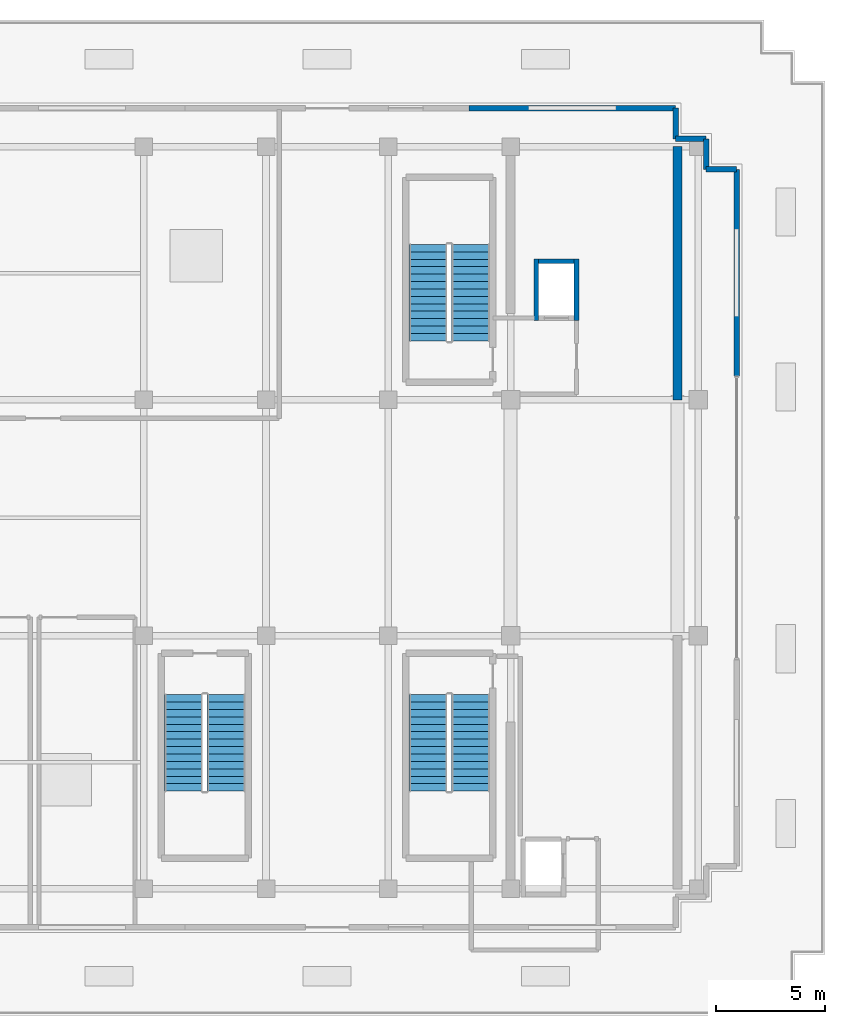
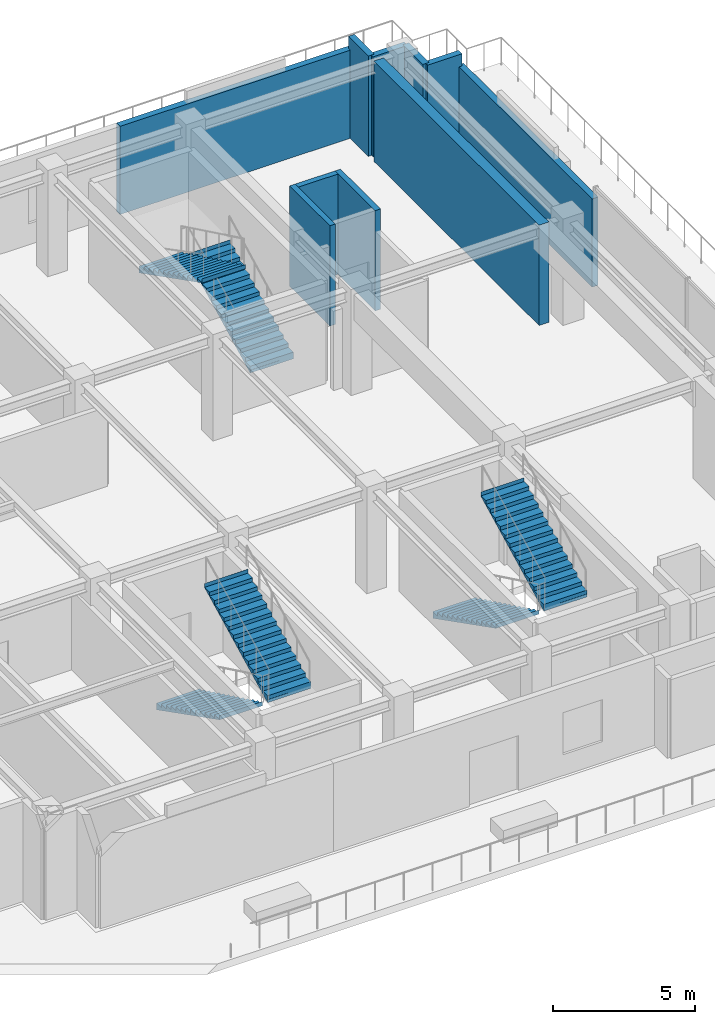
# One storey, part 5 of 13: 10 walls, 6 stair flights, 3 elements without a shape of their own.
"""IFC4 building model written with IfcOpenShell, lengths in metres."""

from ifc_helpers import new_model, si_unit, direction, frame, frame_2d, origin, place, context, subcontext, project, spatial, polyline, rectangle, outline, extrude, source, transform, mapped, material, layer, layer_set, type_object, element, aggregate, save


model = new_model("IFC4")

# Units and contexts
model_context = context("Model", 3, precision=1e-05, world=origin(), true_north=direction((0.0, 1.0)))
body_context = subcontext(model_context, "Body", "Model", "MODEL_VIEW")
ifc_project = project(units=[si_unit("LENGTHUNIT", "METRE"), si_unit("AREAUNIT", "SQUARE_METRE"), si_unit("VOLUMEUNIT", "CUBIC_METRE"), si_unit("PLANEANGLEUNIT", "RADIAN"), si_unit("MASSUNIT", "GRAM", prefix="KILO")], contexts=[model_context])

# Site, building, storey
site_placement = place(None, origin())
site = spatial("IfcSite", under=ifc_project, at=site_placement, CompositionType="ELEMENT")
building_placement = place(site_placement, origin())
building = spatial("IfcBuilding", under=site, at=building_placement, Name="Nahalor Promenade Grand Hotel", CompositionType="ELEMENT")
storey_placement = place(building_placement, frame((0.0, 0.0, 357.050048828125)))
storey = spatial("IfcBuildingStorey", under=building, at=storey_placement, Name="L91", CompositionType="ELEMENT", Elevation=357.050048828125)

# Walls
ifc_material_1 = material(Name="Concrete B-50 (C40/50)", Category="concrete")
ifc_layer_1 = layer(ifc_material_1, 0.39990234375)
ifc_layer_set_1 = layer_set([ifc_layer_1], Name="Concrete B-50 (C40/50)")
wall_type_1 = type_object("IfcWallType", Name="Wall-CoreShear-400", PredefinedType="SHEAR", material=ifc_layer_set_1)
shared_shape_1 = source(origin(), body_context, "Body", "SweptSolid", [
    extrude(rectangle(XDim=11.60009765625, YDim=0.39990234375, at=frame_2d((5.800048828125, 0.0))), origin(), (0.0, 0.0, 1.0), 4.300048828125),
])
wall_1_placement = place(storey_placement, frame((16.050048828125, 5.39990234375, 0.0), z_axis=(0.0, 0.0, 1.0), x_axis=(0.0, 1.0, 0.0)))
element("IfcWall", 1, at=wall_1_placement, inside=storey, type_object=wall_type_1, Name="CWALL-L91-NE", PredefinedType="SHEAR", context=body_context, shape_type="MappedRepresentation", body=[
    mapped(shared_shape_1, transform((0.0, 0.0, 0.0), scale=1.0)),
])
ifc_layer_2 = layer(ifc_material_1, 0.219970703125)
ifc_layer_set_2 = layer_set([ifc_layer_2], Name="Concrete B-50 (C40/50)")
wall_type_2 = type_object("IfcWallType", Name="Wall-LiftShaft-220", PredefinedType="SHEAR", material=ifc_layer_set_2)
shared_shape_2 = source(origin(), body_context, "Body", "SweptSolid", [
    extrude(rectangle(XDim=2.820068359375, YDim=0.219970703125, at=frame_2d((1.41015625, 0.0))), origin(), (0.0, 0.0, 1.0), 4.300048828125),
])
for number, where, z_axis, x_axis, name in (
    (2, (9.580078125, 9.0400390625, 0.0), (0.0, 0.0, 1.0), (0.0, 1.0, 0.0), "L91 Lift FL1 Hoistway Wall W"),
    (3, (11.419921875, 9.0400390625, 0.0), (0.0, 0.0, 1.0), (0.0, 1.0, 0.0), "L91 Lift FL1 Hoistway Wall E"),
):
    element("IfcWall", number, at=place(storey_placement, frame(where, z_axis=z_axis, x_axis=x_axis)), inside=storey, type_object=wall_type_2, Name=name, PredefinedType="SHEAR", context=body_context, shape_type="MappedRepresentation", body=[
        mapped(shared_shape_2, transform((0.0, 0.0, 0.0), scale=1.0)),
    ])
shared_shape_3 = source(origin(), body_context, "Body", "SweptSolid", [
    extrude(rectangle(XDim=1.6201171875, YDim=0.219970703125, at=frame_2d((0.81005859375, 0.0))), origin(), (0.0, 0.0, 1.0), 4.300048828125),
])
wall_2_placement = place(storey_placement, frame((9.68994140625, 11.75, 0.0), z_axis=(0.0, 0.0, 1.0), x_axis=(1.0, 0.0, 0.0)))
element("IfcWall", 4, at=wall_2_placement, inside=storey, type_object=wall_type_2, Name="L91 Lift FL1 Hoistway Wall N", PredefinedType="SHEAR", context=body_context, shape_type="MappedRepresentation", body=[
    mapped(shared_shape_3, transform((0.0, 0.0, 0.0), scale=1.0)),
])
ifc_material_2 = material(Name="Concrete B-40 (C32/40)", Category="concrete")
ifc_layer_3 = layer(ifc_material_2, 0.25)
ifc_layer_set_3 = layer_set([ifc_layer_3], Name="Concrete B-40 (C32/40)")
wall_type_3 = type_object("IfcWallType", Name="Wall-BronzePier-250", PredefinedType="STANDARD", material=ifc_layer_set_3)
shared_shape_4 = source(origin(), body_context, "Body", "SweptSolid", [
    extrude(rectangle(XDim=1.39990234375, YDim=0.25, at=frame_2d((0.699951171875, 0.0))), origin(), (0.0, 0.0, 1.0), 4.300048828125),
])
for number, where, z_axis, x_axis, name in (
    (5, (17.360107421875, 15.9599609375, 0.0), (0.0, 0.0, 1.0), (1.0, 0.0, 0.0), "W-L91-SR-05"),
    (6, (15.9599609375, 17.360107421875, 0.0), (0.0, 0.0, 1.0), (0.0, 1.0, 0.0), "W-L91-SR-08"),
):
    element("IfcWall", number, at=place(storey_placement, frame(where, z_axis=z_axis, x_axis=x_axis)), inside=storey, type_object=wall_type_3, Name=name, PredefinedType="STANDARD", context=body_context, shape_type="MappedRepresentation", body=[
        mapped(shared_shape_4, transform((0.0, 0.0, 0.0), scale=1.0)),
    ])
shared_shape_5 = source(origin(), body_context, "Body", "SweptSolid", [
    extrude(rectangle(XDim=1.400146484375, YDim=0.25, at=frame_2d((0.7001953125, 0.0))), origin(), (0.0, 0.0, 1.0), 4.300048828125),
])
for number, where, z_axis, x_axis, name in (
    (7, (17.360107421875, 15.9599609375, 0.0), (0.0, 0.0, 1.0), (0.0, 1.0, 0.0), "W-L91-SR-06"),
    (8, (15.9599609375, 17.360107421875, 0.0), (0.0, 0.0, 1.0), (1.0, 0.0, 0.0), "W-L91-SR-07"),
):
    element("IfcWall", number, at=place(storey_placement, frame(where, z_axis=z_axis, x_axis=x_axis)), inside=storey, type_object=wall_type_3, Name=name, PredefinedType="STANDARD", context=body_context, shape_type="MappedRepresentation", body=[
        mapped(shared_shape_5, transform((0.0, 0.0, 0.0), scale=1.0)),
    ])
shared_shape_6 = source(origin(), body_context, "Body", "SweptSolid", [
    extrude(rectangle(XDim=9.4599609375, YDim=0.25, at=frame_2d((4.72998046875, 0.0))), origin(), (0.0, 0.0, 1.0), 3.780029296875),
])
for number, where, z_axis, x_axis, name in (
    (9, (6.5, 18.760009765625, 0.0), (0.0, 0.0, 1.0), (1.0, 0.0, 0.0), "W-L91-PL-NR"),
    (10, (18.760009765625, 6.5, 0.0), (0.0, 0.0, 1.0), (0.0, 1.0, 0.0), "W-L91-PL-ER"),
):
    element("IfcWall", number, at=place(storey_placement, frame(where, z_axis=z_axis, x_axis=x_axis)), inside=storey, type_object=wall_type_3, Name=name, PredefinedType="STANDARD", context=body_context, shape_type="MappedRepresentation", body=[
        mapped(shared_shape_6, transform((0.0, 0.0, 0.0), scale=1.0)),
    ])

# Stair, stair flights
stair_type_1 = type_object("IfcStairType", Name="Stair-ST1", PredefinedType="HALF_TURN_STAIR", material=ifc_material_1)
stair_1_placement = place(storey_placement, origin())
stair_1 = element("IfcStair", 11, at=stair_1_placement, inside=storey, type_object=stair_type_1, Name="L91 ST1", PredefinedType="HALF_TURN_STAIR")
ifc_layer_4 = layer(ifc_material_1, 0.179931640625)
ifc_layer_set_4 = layer_set([ifc_layer_4], Name="Concrete B-50 (C40/50)")
stair_flight_type_1 = type_object("IfcStairFlightType", Name="Flight-ST1", PredefinedType="STRAIGHT", material=ifc_layer_set_4)
shared_shape_7 = source(origin(), body_context, "Body", "SweptSolid", [
    extrude(outline(polyline([(-0.00390625, -0.1201171875), (-0.00390625, 0.0), (0.0, 0.0), (0.0, 0.164306640625), (0.340087890625, 0.164306640625), (0.340087890625, 0.32861328125), (0.679931640625, 0.32861328125), (0.679931640625, 0.492919921875), (1.02001953125, 0.492919921875), (1.02001953125, 0.6572265625), (1.360107421875, 0.6572265625), (1.360107421875, 0.821533203125), (1.699951171875, 0.821533203125), (1.699951171875, 0.985595703125), (2.0400390625, 0.985595703125), (2.0400390625, 1.14990234375), (2.3798828125, 1.14990234375), (2.3798828125, 1.314208984375), (2.719970703125, 1.314208984375), (2.719970703125, 1.478515625), (3.06005859375, 1.478515625), (3.06005859375, 1.642822265625), (3.39990234375, 1.642822265625), (3.39990234375, 1.80712890625), (3.739990234375, 1.80712890625), (3.739990234375, 1.971435546875), (4.080078125, 1.971435546875), (4.080078125, 2.1357421875), (4.419921875, 2.1357421875), (4.419921875, 2.300048828125), (4.424072265625, 2.300048828125), (4.424072265625, 2.1201171875), (0.02001953125, -0.1201171875), (-0.00390625, -0.1201171875)])), frame((0.0, 0.875, 0.0), z_axis=(0.0, -1.0, 0.0), x_axis=(1.0, 0.0, 0.0)), (0.0, 0.0, 1.0), 1.75),
])
stair_flight_1_placement = place(storey_placement, frame((6.574951171875, 8.10009765625, 0.0), z_axis=(0.0, 0.0, 1.0), x_axis=(0.0, 1.0, 0.0)))
stair_flight_1 = element("IfcStairFlight", 12, at=stair_flight_1_placement, type_object=stair_flight_type_1, Name="ST1 flight 1", NumberOfRisers=14, NumberOfTreads=13, PredefinedType="STRAIGHT", RiserHeight=0.164285714, TreadLength=0.34, context=body_context, shape_type="MappedRepresentation", body=[
    mapped(shared_shape_7, transform((0.0, 0.0, 0.0), scale=1.0)),
])
stair_flight_2_placement = place(storey_placement, frame((4.625, 12.52001953125, 2.300048828125), z_axis=(0.0, 0.0, 1.0), x_axis=(0.0, -1.0, 0.0)))
stair_flight_2 = element("IfcStairFlight", 13, at=stair_flight_2_placement, type_object=stair_flight_type_1, Name="ST1 flight 2", NumberOfRisers=14, NumberOfTreads=13, PredefinedType="STRAIGHT", RiserHeight=0.164285714, TreadLength=0.34, context=body_context, shape_type="MappedRepresentation", body=[
    mapped(shared_shape_7, transform((0.0, 0.0, 0.0), scale=1.0)),
])
aggregate(stair_1, [stair_flight_1, stair_flight_2])

stair_type_2 = type_object("IfcStairType", Name="Stair-ST2", PredefinedType="HALF_TURN_STAIR", material=ifc_material_1)
stair_2_placement = place(storey_placement, origin())
stair_2 = element("IfcStair", 14, at=stair_2_placement, inside=storey, type_object=stair_type_2, Name="L91 ST2", PredefinedType="HALF_TURN_STAIR")
ifc_layer_5 = layer(ifc_material_1, 0.18994140625)
ifc_layer_set_5 = layer_set([ifc_layer_5], Name="Concrete B-50 (C40/50)")
stair_flight_type_2 = type_object("IfcStairFlightType", Name="Flight-ST2", PredefinedType="STRAIGHT", material=ifc_layer_set_5)
shared_shape_8 = source(origin(), body_context, "Body", "SweptSolid", [
    extrude(outline(polyline([(-0.00390625, -0.1201171875), (-0.00390625, 0.0), (0.0, 0.0), (0.0, 0.164306640625), (0.340087890625, 0.164306640625), (0.340087890625, 0.32861328125), (0.679931640625, 0.32861328125), (0.679931640625, 0.492919921875), (1.02001953125, 0.492919921875), (1.02001953125, 0.6572265625), (1.360107421875, 0.6572265625), (1.360107421875, 0.821533203125), (1.699951171875, 0.821533203125), (1.699951171875, 0.985595703125), (2.0400390625, 0.985595703125), (2.0400390625, 1.14990234375), (2.3798828125, 1.14990234375), (2.3798828125, 1.314208984375), (2.719970703125, 1.314208984375), (2.719970703125, 1.478515625), (3.06005859375, 1.478515625), (3.06005859375, 1.642822265625), (3.39990234375, 1.642822265625), (3.39990234375, 1.80712890625), (3.739990234375, 1.80712890625), (3.739990234375, 1.971435546875), (4.080078125, 1.971435546875), (4.080078125, 2.1357421875), (4.419921875, 2.1357421875), (4.419921875, 2.300048828125), (4.424072265625, 2.300048828125), (4.424072265625, 2.1201171875), (0.02001953125, -0.1201171875), (-0.00390625, -0.1201171875)])), frame((0.0, 0.875, 0.0), z_axis=(0.0, -1.0, 0.0), x_axis=(1.0, 0.0, 0.0)), (0.0, 0.0, 1.0), 1.75),
])
stair_flight_3_placement = place(storey_placement, frame((4.625, -8.10009765625, 0.0), z_axis=(0.0, 0.0, 1.0), x_axis=(0.0, -1.0, 0.0)))
stair_flight_3 = element("IfcStairFlight", 15, at=stair_flight_3_placement, type_object=stair_flight_type_2, Name="ST2 flight 1", NumberOfRisers=14, NumberOfTreads=13, PredefinedType="STRAIGHT", RiserHeight=0.164285714, TreadLength=0.34, context=body_context, shape_type="MappedRepresentation", body=[
    mapped(shared_shape_8, transform((0.0, 0.0, 0.0), scale=1.0)),
])
stair_flight_4_placement = place(storey_placement, frame((6.574951171875, -12.52001953125, 2.300048828125), z_axis=(0.0, 0.0, 1.0), x_axis=(0.0, 1.0, 0.0)))
stair_flight_4 = element("IfcStairFlight", 16, at=stair_flight_4_placement, type_object=stair_flight_type_2, Name="ST2 flight 2", NumberOfRisers=14, NumberOfTreads=13, PredefinedType="STRAIGHT", RiserHeight=0.164285714, TreadLength=0.34, context=body_context, shape_type="MappedRepresentation", body=[
    mapped(shared_shape_8, transform((0.0, 0.0, 0.0), scale=1.0)),
])
aggregate(stair_2, [stair_flight_3, stair_flight_4])

stair_type_3 = type_object("IfcStairType", Name="Stair-ST3", PredefinedType="HALF_TURN_STAIR", material=ifc_material_1)
stair_3_placement = place(storey_placement, origin())
stair_3 = element("IfcStair", 17, at=stair_3_placement, inside=storey, type_object=stair_type_3, Name="L91 ST3", PredefinedType="HALF_TURN_STAIR")
ifc_layer_6 = layer(ifc_material_1, 0.199951171875)
ifc_layer_set_6 = layer_set([ifc_layer_6], Name="Concrete B-50 (C40/50)")
stair_flight_type_3 = type_object("IfcStairFlightType", Name="Flight-ST3", PredefinedType="STRAIGHT", material=ifc_layer_set_6)
shared_shape_9 = source(origin(), body_context, "Body", "SweptSolid", [
    extrude(outline(polyline([(-0.00390625, -0.1201171875), (-0.00390625, 0.0), (0.0, 0.0), (0.0, 0.164306640625), (0.340087890625, 0.164306640625), (0.340087890625, 0.32861328125), (0.679931640625, 0.32861328125), (0.679931640625, 0.492919921875), (1.02001953125, 0.492919921875), (1.02001953125, 0.6572265625), (1.360107421875, 0.6572265625), (1.360107421875, 0.821533203125), (1.699951171875, 0.821533203125), (1.699951171875, 0.985595703125), (2.0400390625, 0.985595703125), (2.0400390625, 1.14990234375), (2.3798828125, 1.14990234375), (2.3798828125, 1.314208984375), (2.719970703125, 1.314208984375), (2.719970703125, 1.478515625), (3.06005859375, 1.478515625), (3.06005859375, 1.642822265625), (3.39990234375, 1.642822265625), (3.39990234375, 1.80712890625), (3.739990234375, 1.80712890625), (3.739990234375, 1.971435546875), (4.080078125, 1.971435546875), (4.080078125, 2.1357421875), (4.419921875, 2.1357421875), (4.419921875, 2.300048828125), (4.424072265625, 2.300048828125), (4.424072265625, 2.1201171875), (0.02001953125, -0.1201171875), (-0.00390625, -0.1201171875)])), frame((0.0, 0.875, 0.0), z_axis=(0.0, -1.0, 0.0), x_axis=(1.0, 0.0, 0.0)), (0.0, 0.0, 1.0), 1.75),
])
stair_flight_5_placement = place(storey_placement, frame((-6.574951171875, -8.10009765625, 0.0), z_axis=(0.0, 0.0, 1.0), x_axis=(0.0, -1.0, 0.0)))
stair_flight_5 = element("IfcStairFlight", 18, at=stair_flight_5_placement, type_object=stair_flight_type_3, Name="ST3 flight 1", NumberOfRisers=14, NumberOfTreads=13, PredefinedType="STRAIGHT", RiserHeight=0.164285714, TreadLength=0.34, context=body_context, shape_type="MappedRepresentation", body=[
    mapped(shared_shape_9, transform((0.0, 0.0, 0.0), scale=1.0)),
])
stair_flight_6_placement = place(storey_placement, frame((-4.625, -12.52001953125, 2.300048828125), z_axis=(0.0, 0.0, 1.0), x_axis=(0.0, 1.0, 0.0)))
stair_flight_6 = element("IfcStairFlight", 19, at=stair_flight_6_placement, type_object=stair_flight_type_3, Name="ST3 flight 2", NumberOfRisers=14, NumberOfTreads=13, PredefinedType="STRAIGHT", RiserHeight=0.164285714, TreadLength=0.34, context=body_context, shape_type="MappedRepresentation", body=[
    mapped(shared_shape_9, transform((0.0, 0.0, 0.0), scale=1.0)),
])
aggregate(stair_3, [stair_flight_5, stair_flight_6])

save(model, "model.ifc")
